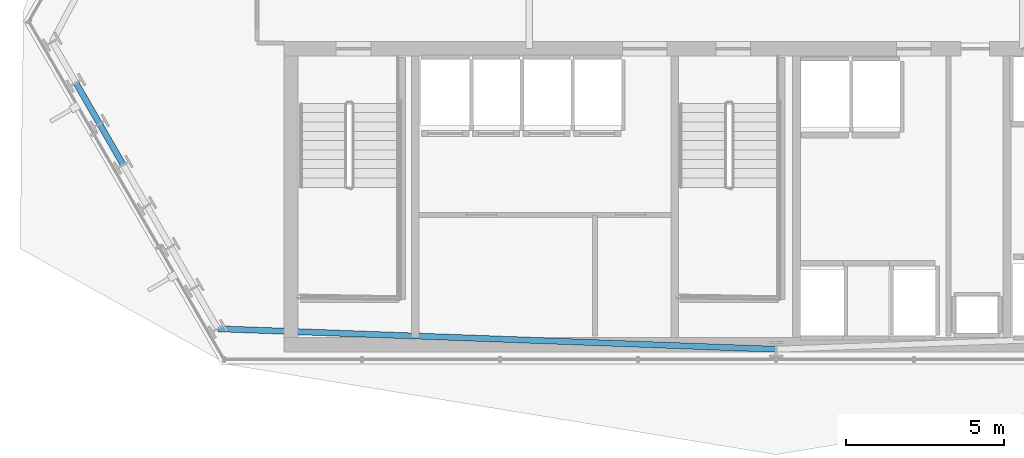
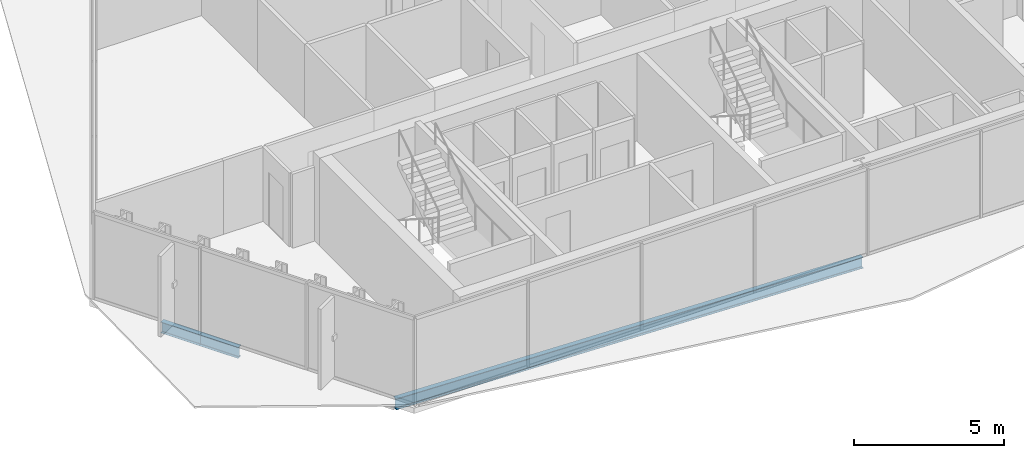
# One storey, part 4 of 36: 3 beams.
"""IFC4 building model written with IfcOpenShell, lengths in metres."""

from ifc_helpers import new_model, si_unit, direction, frame, origin, origin_2d, place, context, subcontext, project, spatial, i_section, extrude, material, material_profile, profile_set, type_object, element, save


model = new_model("IFC4")

# Units and contexts
model_context = context("Model", 3, precision=1e-05, world=origin(), true_north=direction((0.0, 1.0)))
body_context = subcontext(model_context, "Body", "Model", "MODEL_VIEW")
ifc_project = project(units=[si_unit("LENGTHUNIT", "METRE"), si_unit("AREAUNIT", "SQUARE_METRE"), si_unit("VOLUMEUNIT", "CUBIC_METRE"), si_unit("PLANEANGLEUNIT", "RADIAN"), si_unit("MASSUNIT", "GRAM", prefix="KILO")], contexts=[model_context])

# Site, building, storey
site_placement = place(None, origin())
site = spatial("IfcSite", under=ifc_project, at=site_placement, CompositionType="ELEMENT")
building_placement = place(site_placement, origin())
building = spatial("IfcBuilding", under=site, at=building_placement, Name="Ndaravel Arena Tower", CompositionType="ELEMENT")
storey_placement = place(building_placement, frame((0.0, 0.0, 127.0)))
storey = spatial("IfcBuildingStorey", under=building, at=storey_placement, Name="L29", CompositionType="ELEMENT", Elevation=127.0)

# Beams
ifc_material = material(Name="Steel S355", Category="steel")
ifc_material_profile = material_profile(ifc_material, i_section(OverallWidth=0.18994140625, OverallDepth=0.449951171875, WebThickness=0.009521484375, FlangeThickness=0.0146484375, FilletRadius=0.02099609375, at=origin_2d()), Name="IPE 450")
ifc_profile_set = profile_set([ifc_material_profile], Name="Steel S355")
beam_type = type_object("IfcBeamType", Name="BM-SPAN-IPE450", PredefinedType="SPANDREL", material=ifc_profile_set)
beam_1_placement = place(storey_placement, frame((19.8798828125, 13.8984375, -0.445068359375), z_axis=(0.499896754619, -0.866085004328, 0.0), x_axis=(0.866085004328, 0.499896754619, 0.0)))
element("IfcBeam", 1, at=beam_1_placement, inside=storey, type_object=beam_type, Name="L29 Perimeter Spandrel Beam SP-21", PredefinedType="SPANDREL", context=body_context, shape_type="SweptSolid", body=[
    extrude(i_section(OverallWidth=0.18994140625, OverallDepth=0.449951171875, WebThickness=0.009521484375, FlangeThickness=0.0146484375, FilletRadius=0.02099609375, at=origin_2d()), origin(), (0.0, 0.0, 1.0), 1.495361328125),
])
beam_2_placement = place(storey_placement, frame((20.62744140625, 12.603271484375, -0.445068359375), z_axis=(0.500019200167, -0.866014318279, 0.0), x_axis=(0.866014318279, 0.500019200167, 0.0)))
element("IfcBeam", 2, at=beam_2_placement, inside=storey, type_object=beam_type, Name="L29 Perimeter Spandrel Beam SP-22", PredefinedType="SPANDREL", context=body_context, shape_type="SweptSolid", body=[
    extrude(i_section(OverallWidth=0.18994140625, OverallDepth=0.449951171875, WebThickness=0.009521484375, FlangeThickness=0.0146484375, FilletRadius=0.02099609375, at=origin_2d()), origin(), (0.0, 0.0, 1.0), 1.49560546875),
])
beam_3_placement = place(storey_placement, frame((24.3662109375, 6.127685546875, -0.445068359375), z_axis=(0.999326102031, -0.036706154797, 0.0), x_axis=(0.036706154797, 0.999326102031, 0.0)))
element("IfcBeam", 3, at=beam_3_placement, inside=storey, type_object=beam_type, Name="L29 Perimeter Spandrel Beam SP-27", PredefinedType="SPANDREL", context=body_context, shape_type="SweptSolid", body=[
    extrude(i_section(OverallWidth=0.18994140625, OverallDepth=0.449951171875, WebThickness=0.009521484375, FlangeThickness=0.0146484375, FilletRadius=0.02099609375, at=origin_2d()), origin(), (0.0, 0.0, 1.0), 17.645751953125),
])

save(model, "model.ifc")
